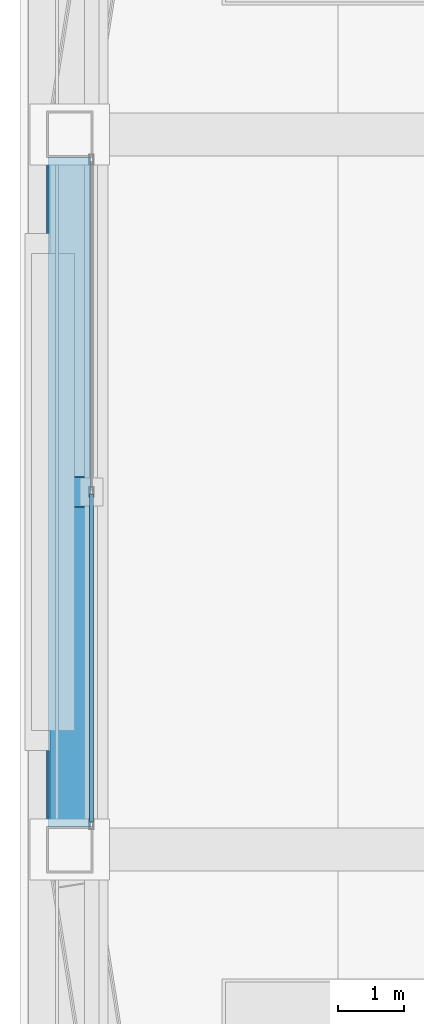
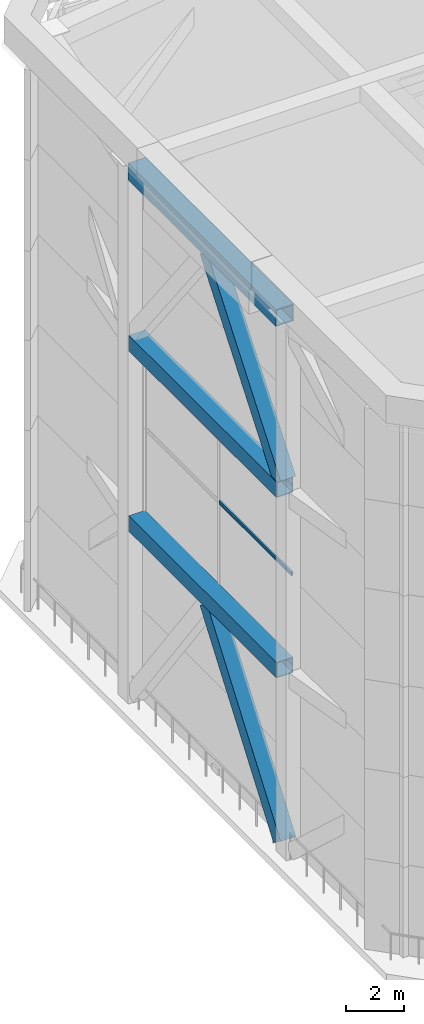
# One storey, part 6 of 28: 6 members, 3 beams, 2 elements without a shape of their own.
"""IFC4 building model written with IfcOpenShell, lengths in metres."""

from ifc_helpers import new_model, si_unit, direction, frame, origin, origin_2d, place, context, subcontext, project, spatial, hollow_rectangle, extrude, material, material_profile, profile_set, type_object, element, aggregate, save


model = new_model("IFC4")

# Units and contexts
model_context = context("Model", 3, precision=1e-05, world=origin(), true_north=direction((0.0, 1.0)))
body_context = subcontext(model_context, "Body", "Model", "MODEL_VIEW")
ifc_project = project(units=[si_unit("LENGTHUNIT", "METRE"), si_unit("AREAUNIT", "SQUARE_METRE"), si_unit("VOLUMEUNIT", "CUBIC_METRE"), si_unit("PLANEANGLEUNIT", "RADIAN"), si_unit("MASSUNIT", "GRAM", prefix="KILO")], contexts=[model_context])

# Site, building, storey
site_placement = place(None, origin())
site = spatial("IfcSite", under=ifc_project, at=site_placement, CompositionType="ELEMENT")
building_placement = place(site_placement, origin())
building = spatial("IfcBuilding", under=site, at=building_placement, Name="Tashvorn Skyway Center", CompositionType="ELEMENT")
storey_placement = place(building_placement, frame((0.0, 0.0, 277.60009765625)))
storey = spatial("IfcBuildingStorey", under=building, at=storey_placement, Name="Roof Level", CompositionType="ELEMENT", Elevation=277.60009765625)

# Beams
ifc_material_1 = material(Name="Steel ASTM A572 Grade 50", Category="steel")
ifc_material_profile_1 = material_profile(ifc_material_1, hollow_rectangle(XDim=0.64990234375, YDim=0.64990234375, WallThickness=0.02490234375, at=origin_2d()), Name="BOX650x650x25")
ifc_profile_set_1 = profile_set([ifc_material_profile_1], Name="Steel ASTM A572 Grade 50")
beam_type_1 = type_object("IfcBeamType", Name="BM-BEAM-BOX650x650x25", PredefinedType="BEAM", material=ifc_profile_set_1)
for number, where, z_axis, x_axis, name in (
    (1, (27.449951171875, 37.054931640625, 7.52978515625), (0.0, -1.0, 0.0), (1.0, 0.0, 0.0), "CROWN FRAME Tower 1 Lower-Tier Ring Beam 11"),
    (2, (27.449951171875, 37.054931640625, 15.059814453125), (0.0, -1.0, 0.0), (1.0, 0.0, 0.0), "CROWN FRAME Tower 1 Upper-Tier Ring Beam 11"),
):
    element("IfcBeam", number, at=place(storey_placement, frame(where, z_axis=z_axis, x_axis=x_axis)), inside=storey, type_object=beam_type_1, Name=name, PredefinedType="BEAM", context=body_context, shape_type="SweptSolid", body=[
        extrude(hollow_rectangle(XDim=0.64990234375, YDim=0.64990234375, WallThickness=0.02490234375, at=origin_2d()), origin(), (0.0, 0.0, 1.0), 10.10986328125),
    ])
ifc_material_profile_2 = material_profile(ifc_material_1, hollow_rectangle(XDim=0.699951171875, YDim=0.699951171875, WallThickness=0.028076171875, at=origin_2d()), Name="BOX700x700x28")
ifc_profile_set_2 = profile_set([ifc_material_profile_2], Name="Steel ASTM A572 Grade 50")
beam_type_2 = type_object("IfcBeamType", Name="BM-BEAM-BOX700x700x28", PredefinedType="BEAM", material=ifc_profile_set_2)
beam_placement = place(storey_placement, frame((27.449951171875, 37.054931640625, 22.239990234375), z_axis=(0.0, -1.0, 0.0), x_axis=(1.0, 0.0, 0.0)))
element("IfcBeam", 3, at=beam_placement, inside=storey, type_object=beam_type_2, Name="CROWN FRAME Tower 1 Top Cap Ring Beam 11", PredefinedType="BEAM", context=body_context, shape_type="SweptSolid", body=[
    extrude(hollow_rectangle(XDim=0.699951171875, YDim=0.699951171875, WallThickness=0.028076171875, at=origin_2d()), origin(), (0.0, 0.0, 1.0), 10.10986328125),
])

# Curtain wall, members
ifc_material_2 = material(Name="Thermally broken bronze-anodized aluminium 6063-T6", Category="aluminium")
curtain_wall_type = type_object("IfcCurtainWallType", Name="CW-CW-SKY", PredefinedType="NOTDEFINED", material=ifc_material_2)
curtain_wall_1_placement = place(storey_placement, origin())
curtain_wall_1 = element("IfcCurtainWall", 4, at=curtain_wall_1_placement, inside=storey, type_object=curtain_wall_type, Name="CROWN Lantern Fritted Curtain Wall T1 W-3", PredefinedType="NOTDEFINED")
ifc_material_profile_3 = material_profile(ifc_material_2, hollow_rectangle(XDim=0.06494140625, YDim=0.10498046875, WallThickness=0.00390625, at=origin_2d()), Name="ALU-TRAN-65x105")
ifc_profile_set_3 = profile_set([ifc_material_profile_3], Name="Thermally broken bronze-anodized aluminium 6063-T6")
member_type_1 = type_object("IfcMemberType", Name="CWT-CW-SKY", PredefinedType="USERDEFINED", material=ifc_profile_set_3)
member_1_placement = place(storey_placement, frame((27.780029296875, 27.014892578125, 7.5625), z_axis=(0.0, 1.0, 0.0), x_axis=(-1.0, 0.0, 0.0)))
member_1 = element("IfcMember", 5, at=member_1_placement, type_object=member_type_1, Name="CW-SKY transom 1.1", ObjectType="TRANSOM", PredefinedType="USERDEFINED", context=body_context, shape_type="SweptSolid", body=[
    extrude(hollow_rectangle(XDim=0.06494140625, YDim=0.10498046875, WallThickness=0.00390625, at=origin_2d()), origin(), (0.0, 0.0, 1.0), 4.95263671875),
])
member_2_placement = place(storey_placement, frame((27.780029296875, 27.014892578125, 11.262451171875), z_axis=(0.0, 1.0, 0.0), x_axis=(-1.0, 0.0, 0.0)))
member_2 = element("IfcMember", 6, at=member_2_placement, type_object=member_type_1, Name="CW-SKY transom 1.2", ObjectType="TRANSOM", PredefinedType="USERDEFINED", context=body_context, shape_type="SweptSolid", body=[
    extrude(hollow_rectangle(XDim=0.06494140625, YDim=0.10498046875, WallThickness=0.00390625, at=origin_2d()), origin(), (0.0, 0.0, 1.0), 4.95263671875),
])
aggregate(curtain_wall_1, [member_1, member_2])

curtain_wall_2_placement = place(storey_placement, origin())
curtain_wall_2 = element("IfcCurtainWall", 7, at=curtain_wall_2_placement, inside=storey, type_object=curtain_wall_type, Name="CROWN Lantern Fritted Curtain Wall T1 W-4", PredefinedType="NOTDEFINED")
member_3_placement = place(storey_placement, frame((27.780029296875, 27.014892578125, 11.327392578125), z_axis=(0.0, 1.0, 0.0), x_axis=(-1.0, 0.0, 0.0)))
member_3 = element("IfcMember", 8, at=member_3_placement, type_object=member_type_1, Name="CW-SKY transom 1.1", ObjectType="TRANSOM", PredefinedType="USERDEFINED", context=body_context, shape_type="SweptSolid", body=[
    extrude(hollow_rectangle(XDim=0.06494140625, YDim=0.10498046875, WallThickness=0.00390625, at=origin_2d()), origin(), (0.0, 0.0, 1.0), 4.95263671875),
])
member_4_placement = place(storey_placement, frame((27.780029296875, 27.014892578125, 15.02734375), z_axis=(0.0, 1.0, 0.0), x_axis=(-1.0, 0.0, 0.0)))
member_4 = element("IfcMember", 9, at=member_4_placement, type_object=member_type_1, Name="CW-SKY transom 1.2", ObjectType="TRANSOM", PredefinedType="USERDEFINED", context=body_context, shape_type="SweptSolid", body=[
    extrude(hollow_rectangle(XDim=0.06494140625, YDim=0.10498046875, WallThickness=0.00390625, at=origin_2d()), origin(), (0.0, 0.0, 1.0), 4.95263671875),
])
aggregate(curtain_wall_2, [member_3, member_4])

# Members
ifc_material_profile_4 = material_profile(ifc_material_1, hollow_rectangle(XDim=0.60009765625, YDim=0.60009765625, WallThickness=0.02490234375, at=origin_2d()), Name="BOX600x600x25")
ifc_profile_set_4 = profile_set([ifc_material_profile_4], Name="Steel ASTM A572 Grade 50")
member_type_2 = type_object("IfcMemberType", Name="MEM-CF-BRC-600", PredefinedType="BRACE", material=ifc_profile_set_4)
member_5_placement = place(storey_placement, frame((27.449951171875, 26.945068359375, 0.349853515625), z_axis=(0.0, 0.593207833758, 0.805049356231), x_axis=(-1.0, 0.0, 0.0)))
element("IfcMember", 10, at=member_5_placement, inside=storey, type_object=member_type_2, Name="CROWN FRAME Tower 1 Tier-1 Chevron Brace 11B", PredefinedType="BRACE", context=body_context, shape_type="SweptSolid", body=[
    extrude(hollow_rectangle(XDim=0.60009765625, YDim=0.60009765625, WallThickness=0.02490234375, at=origin_2d()), origin(), (0.0, 0.0, 1.0), 8.521240234375),
])
member_6_placement = place(storey_placement, frame((27.449951171875, 26.945068359375, 15.3798828125), z_axis=(0.0, 0.612716787586, 0.790302561182), x_axis=(-1.0, 0.0, 0.0)))
element("IfcMember", 11, at=member_6_placement, inside=storey, type_object=member_type_2, Name="CROWN FRAME Tower 1 Tier-3 Chevron Brace 11B", PredefinedType="BRACE", context=body_context, shape_type="SweptSolid", body=[
    extrude(hollow_rectangle(XDim=0.60009765625, YDim=0.60009765625, WallThickness=0.02490234375, at=origin_2d()), origin(), (0.0, 0.0, 1.0), 8.25),
])

save(model, "model.ifc")
